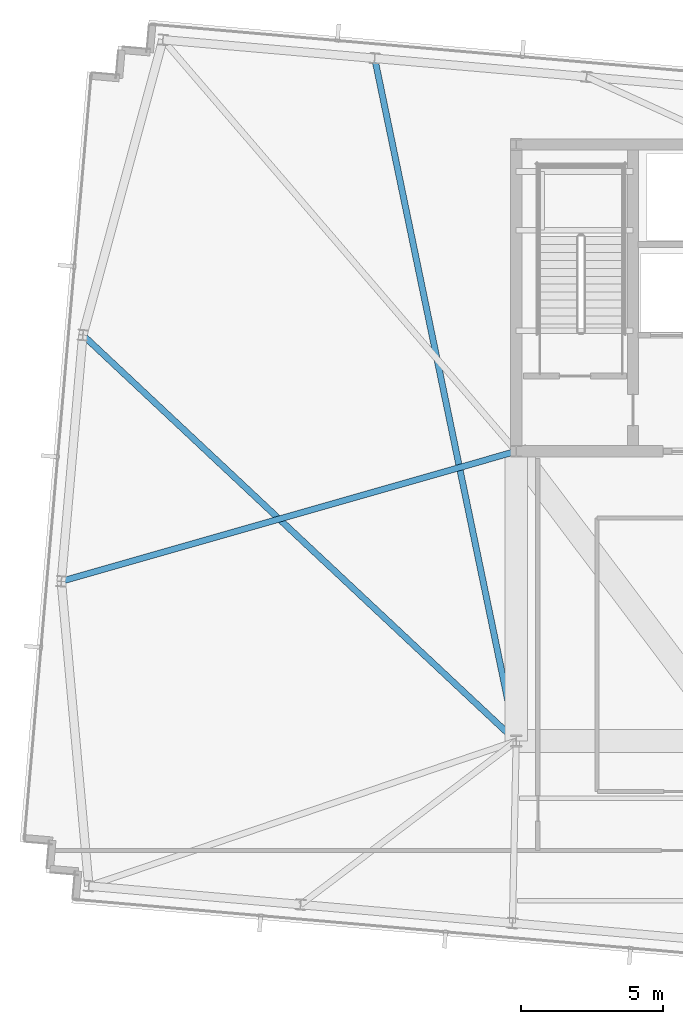
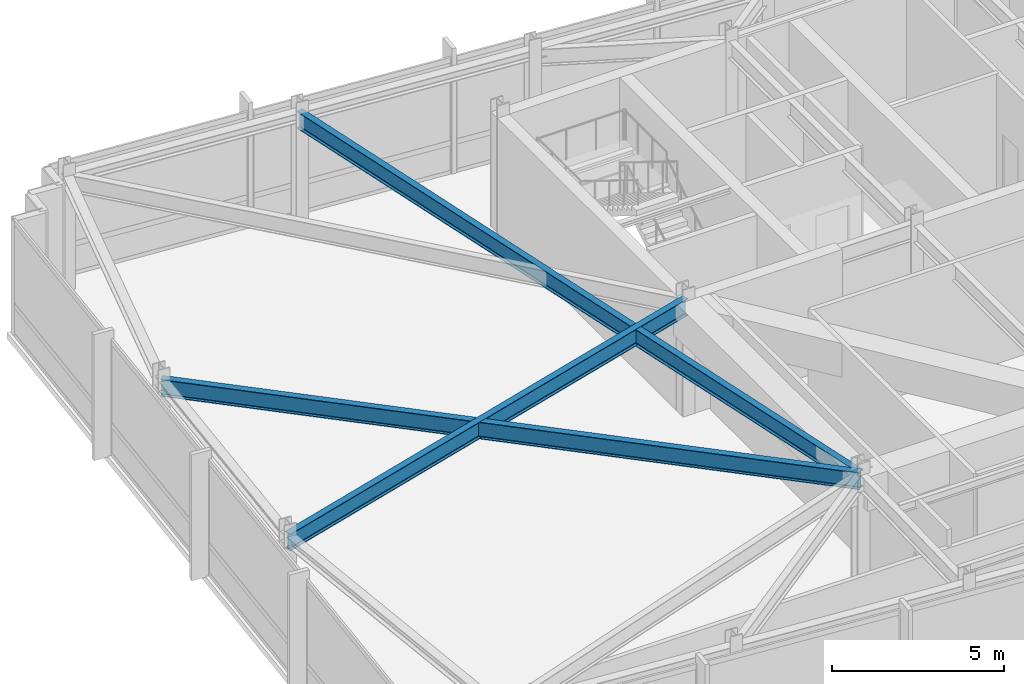
# One storey, part 7 of 25: 3 beams.
"""IFC4 building model written with IfcOpenShell, lengths in metres."""

from ifc_helpers import new_model, si_unit, direction, frame, origin, origin_2d, place, context, subcontext, project, spatial, i_section, extrude, material, material_profile, profile_set, type_object, element, save


model = new_model("IFC4")

# Units and contexts
model_context = context("Model", 3, precision=1e-05, world=origin(), true_north=direction((0.0, 1.0)))
body_context = subcontext(model_context, "Body", "Model", "MODEL_VIEW")
ifc_project = project(units=[si_unit("LENGTHUNIT", "METRE"), si_unit("AREAUNIT", "SQUARE_METRE"), si_unit("VOLUMEUNIT", "CUBIC_METRE"), si_unit("PLANEANGLEUNIT", "RADIAN"), si_unit("MASSUNIT", "GRAM", prefix="KILO")], contexts=[model_context])

# Site, building, storey
site_placement = place(None, origin())
site = spatial("IfcSite", under=ifc_project, at=site_placement, CompositionType="ELEMENT")
building_placement = place(site_placement, origin())
building = spatial("IfcBuilding", under=site, at=building_placement, Name="Yelkora Congress Tower", CompositionType="ELEMENT")
storey_placement = place(building_placement, frame((0.0, 0.0, 299.89990234375)))
storey = spatial("IfcBuildingStorey", under=building, at=storey_placement, Name="L84", CompositionType="ELEMENT", Elevation=299.89990234375)

# Beams
ifc_material = material(Name="Steel S355J2", Category="steel")
ifc_material_profile = material_profile(ifc_material, i_section(OverallWidth=0.219970703125, OverallDepth=0.60009765625, WebThickness=0.011962890625, FlangeThickness=0.01904296875, FilletRadius=0.02392578125, at=origin_2d()), Name="IPE 600")
ifc_profile_set = profile_set([ifc_material_profile], Name="Steel S355J2")
beam_type = type_object("IfcBeamType", Name="BM-GIRD-IPE600", PredefinedType="BEAM", material=ifc_profile_set)
beam_1_placement = place(storey_placement, frame((18.058837890625, 49.231689453125, 3.780029296875), z_axis=(0.202961834344, -0.979186649112, 0.0), x_axis=(0.979186649112, 0.202961834344, 0.0)))
element("IfcBeam", 1, at=beam_1_placement, inside=storey, type_object=beam_type, Name="L84 Primary Frame Girder N02", PredefinedType="BEAM", context=body_context, shape_type="SweptSolid", body=[
    extrude(i_section(OverallWidth=0.219970703125, OverallDepth=0.60009765625, WebThickness=0.011962890625, FlangeThickness=0.01904296875, FilletRadius=0.02392578125, at=origin_2d()), origin(), (0.0, 0.0, 1.0), 24.54248046875),
])
beam_2_placement = place(storey_placement, frame((7.029052734375, 30.822998046875, 3.780029296875), z_axis=(0.961486871307, 0.274850861932, 0.0), x_axis=(-0.274850861932, 0.961486871307, 0.0)))
element("IfcBeam", 2, at=beam_2_placement, inside=storey, type_object=beam_type, Name="L84 Primary Frame Girder W01", PredefinedType="BEAM", context=body_context, shape_type="SweptSolid", body=[
    extrude(i_section(OverallWidth=0.219970703125, OverallDepth=0.60009765625, WebThickness=0.011962890625, FlangeThickness=0.01904296875, FilletRadius=0.02392578125, at=origin_2d()), origin(), (0.0, 0.0, 1.0), 16.65234375),
])
beam_3_placement = place(storey_placement, frame((7.787353515625, 39.489990234375, 3.780029296875), z_axis=(0.729760461145, -0.683702910152, 0.0), x_axis=(0.683702910152, 0.729760461145, 0.0)))
element("IfcBeam", 3, at=beam_3_placement, inside=storey, type_object=beam_type, Name="L84 Primary Frame Girder W02", PredefinedType="BEAM", context=body_context, shape_type="SweptSolid", body=[
    extrude(i_section(OverallWidth=0.219970703125, OverallDepth=0.60009765625, WebThickness=0.011962890625, FlangeThickness=0.01904296875, FilletRadius=0.02392578125, at=origin_2d()), origin(), (0.0, 0.0, 1.0), 20.90087890625),
])

save(model, "model.ifc")
